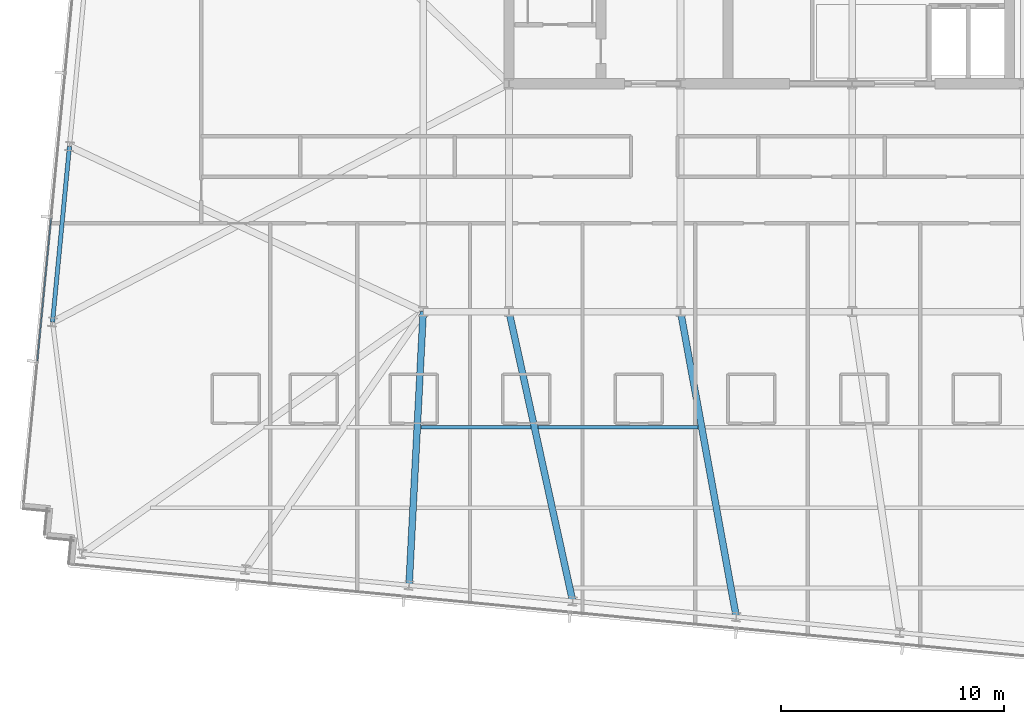
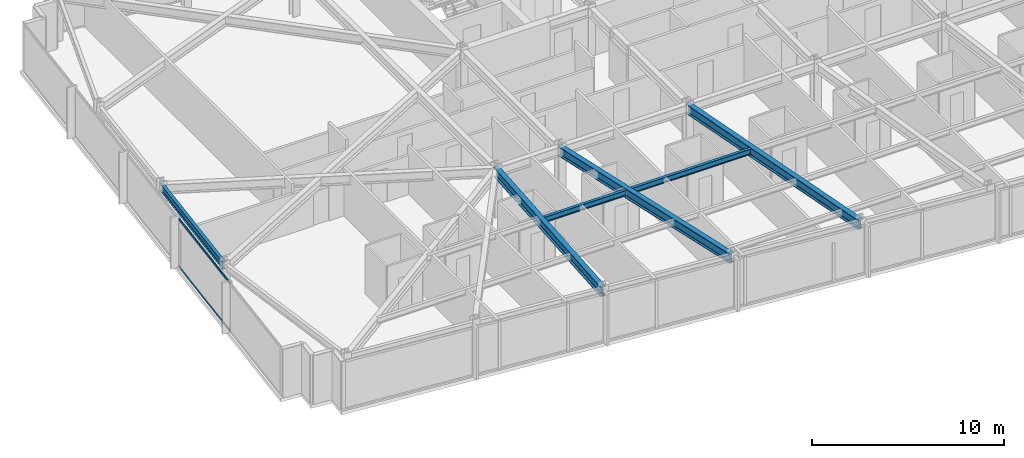
# One storey, part 7 of 38: 6 beams, 2 members, 1 element without a shape of its own.
"""IFC4 building model written with IfcOpenShell, lengths in metres."""

from ifc_helpers import new_model, si_unit, direction, frame, origin, origin_2d, place, context, subcontext, project, spatial, hollow_rectangle, i_section, extrude, material, material_profile, profile_set, type_object, element, aggregate, save


model = new_model("IFC4")

# Units and contexts
model_context = context("Model", 3, precision=1e-05, world=origin(), true_north=direction((0.0, 1.0)))
body_context = subcontext(model_context, "Body", "Model", "MODEL_VIEW")
ifc_project = project(units=[si_unit("LENGTHUNIT", "METRE"), si_unit("AREAUNIT", "SQUARE_METRE"), si_unit("VOLUMEUNIT", "CUBIC_METRE"), si_unit("PLANEANGLEUNIT", "RADIAN"), si_unit("MASSUNIT", "GRAM", prefix="KILO")], contexts=[model_context])

# Site, building, storey
site_placement = place(None, origin())
site = spatial("IfcSite", under=ifc_project, at=site_placement, CompositionType="ELEMENT")
building_placement = place(site_placement, origin())
building = spatial("IfcBuilding", under=site, at=building_placement, Name="Yelkora Congress Tower", CompositionType="ELEMENT")
storey_placement = place(building_placement, frame((0.0, 0.0, 178.699951171875)))
storey = spatial("IfcBuildingStorey", under=building, at=storey_placement, Name="L49", CompositionType="ELEMENT", Elevation=178.699951171875)

# Beams
ifc_material_1 = material(Name="Steel S355J2", Category="steel")
ifc_material_profile_1 = material_profile(ifc_material_1, i_section(OverallWidth=0.300048828125, OverallDepth=0.60009765625, WebThickness=0.015380859375, FlangeThickness=0.030029296875, FilletRadius=0.027099609375, at=origin_2d()), Name="HEB 600")
ifc_profile_set_1 = profile_set([ifc_material_profile_1], Name="Steel S355J2")
beam_type_1 = type_object("IfcBeamType", Name="BM-GIRD-HEB600", PredefinedType="BEAM", material=ifc_profile_set_1)
beam_1_placement = place(storey_placement, frame((18.56591796875, 12.947021484375, 2.780029296875), z_axis=(0.051676299428, 0.99866388744, 0.0), x_axis=(-0.99866388744, 0.051676299428, 0.0)))
element("IfcBeam", 1, at=beam_1_placement, inside=storey, type_object=beam_type_1, Name="L49 Primary Frame Girder S03", PredefinedType="BEAM", context=body_context, shape_type="SweptSolid", body=[
    extrude(i_section(OverallWidth=0.300048828125, OverallDepth=0.60009765625, WebThickness=0.015380859375, FlangeThickness=0.030029296875, FilletRadius=0.027099609375, at=origin_2d()), origin(), (0.0, 0.0, 1.0), 12.269287109375),
])
beam_2_placement = place(storey_placement, frame((25.888916015625, 12.24169921875, 2.780029296875), z_axis=(-0.214722420774, 0.976675115899, 0.0), x_axis=(-0.976675115899, -0.214722420774, 0.0)))
element("IfcBeam", 2, at=beam_2_placement, inside=storey, type_object=beam_type_1, Name="L49 Primary Frame Girder S04", PredefinedType="BEAM", context=body_context, shape_type="SweptSolid", body=[
    extrude(i_section(OverallWidth=0.300048828125, OverallDepth=0.60009765625, WebThickness=0.015380859375, FlangeThickness=0.030029296875, FilletRadius=0.027099609375, at=origin_2d()), origin(), (0.0, 0.0, 1.0), 13.267822265625),
])
beam_3_placement = place(storey_placement, frame((33.21240234375, 11.53662109375, 2.780029296875), z_axis=(-0.179456208566, 0.983765962619, 0.0), x_axis=(-0.983765962619, -0.179456208566, 0.0)))
element("IfcBeam", 3, at=beam_3_placement, inside=storey, type_object=beam_type_1, Name="L49 Primary Frame Girder S05", PredefinedType="BEAM", context=body_context, shape_type="SweptSolid", body=[
    extrude(i_section(OverallWidth=0.300048828125, OverallDepth=0.60009765625, WebThickness=0.015380859375, FlangeThickness=0.030029296875, FilletRadius=0.027099609375, at=origin_2d()), origin(), (0.0, 0.0, 1.0), 13.888916015625),
])
ifc_material_profile_2 = material_profile(ifc_material_1, i_section(OverallWidth=0.169921875, OverallDepth=0.360107421875, WebThickness=0.008056640625, FlangeThickness=0.0126953125, FilletRadius=0.01806640625, at=origin_2d()), Name="IPE 360")
ifc_profile_set_2 = profile_set([ifc_material_profile_2], Name="Steel S355J2")
beam_type_2 = type_object("IfcBeamType", Name="BM-JOIST-IPE360", PredefinedType="JOIST", material=ifc_profile_set_2)
beam_4_placement = place(storey_placement, frame((19.092041015625, 20.021240234375, 2.900146484375), z_axis=(1.0, 0.0, 0.0), x_axis=(0.0, 1.0, 0.0)))
element("IfcBeam", 4, at=beam_4_placement, inside=storey, type_object=beam_type_2, Name="L49 Composite Floor Joist 14", PredefinedType="JOIST", context=body_context, shape_type="SweptSolid", body=[
    extrude(i_section(OverallWidth=0.169921875, OverallDepth=0.360107421875, WebThickness=0.008056640625, FlangeThickness=0.0126953125, FilletRadius=0.01806640625, at=origin_2d()), origin(), (0.0, 0.0, 1.0), 4.926513671875),
])
beam_5_placement = place(storey_placement, frame((24.338623046875, 20.021240234375, 2.900146484375), z_axis=(1.0, 0.0, 0.0), x_axis=(0.0, 1.0, 0.0)))
element("IfcBeam", 5, at=beam_5_placement, inside=storey, type_object=beam_type_2, Name="L49 Composite Floor Joist 15", PredefinedType="JOIST", context=body_context, shape_type="SweptSolid", body=[
    extrude(i_section(OverallWidth=0.169921875, OverallDepth=0.360107421875, WebThickness=0.008056640625, FlangeThickness=0.0126953125, FilletRadius=0.01806640625, at=origin_2d()), origin(), (0.0, 0.0, 1.0), 7.166015625),
])
ifc_material_profile_3 = material_profile(ifc_material_1, i_section(OverallWidth=0.18994140625, OverallDepth=0.449951171875, WebThickness=0.009521484375, FlangeThickness=0.0146484375, FilletRadius=0.02099609375, at=origin_2d()), Name="IPE 450")
ifc_profile_set_3 = profile_set([ifc_material_profile_3], Name="Steel S355J2")
beam_type_3 = type_object("IfcBeamType", Name="BM-SPAN-IPE450", PredefinedType="SPANDREL", material=ifc_profile_set_3)
beam_6_placement = place(storey_placement, frame((3.364501953125, 32.594482421875, 2.85498046875), z_axis=(-0.095831353931, -0.995397584689, 0.0), x_axis=(0.995397584689, -0.095831353931, 0.0)))
element("IfcBeam", 6, at=beam_6_placement, inside=storey, type_object=beam_type_3, Name="L49 Perimeter Beam 18", PredefinedType="SPANDREL", context=body_context, shape_type="SweptSolid", body=[
    extrude(i_section(OverallWidth=0.18994140625, OverallDepth=0.449951171875, WebThickness=0.009521484375, FlangeThickness=0.0146484375, FilletRadius=0.02099609375, at=origin_2d()), origin(), (0.0, 0.0, 1.0), 7.900146484375),
])

# Curtain wall, members
ifc_material_2 = material(Name="Anodised aluminium and insulated glass", Category="aluminium")
curtain_wall_type = type_object("IfcCurtainWallType", Name="CW-SYS-B3", PredefinedType="NOTDEFINED", material=ifc_material_2)
curtain_wall_placement = place(storey_placement, origin())
curtain_wall = element("IfcCurtainWall", 7, at=curtain_wall_placement, inside=storey, type_object=curtain_wall_type, Name="L49 Unitised Curtain Wall 5", PredefinedType="NOTDEFINED")
ifc_material_3 = material(Name="Anodised aluminium 6063-T6", Category="aluminium")
ifc_material_profile_4 = material_profile(ifc_material_3, hollow_rectangle(XDim=0.06005859375, YDim=0.1298828125, WallThickness=0.00390625, at=origin_2d()), Name="ALU 60x130x4")
ifc_profile_set_4 = profile_set([ifc_material_profile_4], Name="Anodised aluminium 6063-T6")
member_type = type_object("IfcMemberType", Name="MEM-TR-B3", PredefinedType="USERDEFINED", material=ifc_profile_set_4)
member_1_placement = place(storey_placement, frame((1.92822265625, 22.996826171875, 0.030029296875), z_axis=(0.095843682057, 0.995396397728, 0.0), x_axis=(-0.995396397728, 0.095843682057, 0.0)))
member_1 = element("IfcMember", 8, at=member_1_placement, type_object=member_type, Name="CW-B3 transom 2.1", ObjectType="TRANSOM", PredefinedType="USERDEFINED", context=body_context, shape_type="SweptSolid", body=[
    extrude(hollow_rectangle(XDim=0.06005859375, YDim=0.1298828125, WallThickness=0.00390625, at=origin_2d()), origin(), (0.0, 0.0, 1.0), 6.4140625),
])
member_2_placement = place(storey_placement, frame((1.92822265625, 22.996826171875, 3.050048828125), z_axis=(0.095843682057, 0.995396397728, 0.0), x_axis=(-0.995396397728, 0.095843682057, 0.0)))
member_2 = element("IfcMember", 9, at=member_2_placement, type_object=member_type, Name="CW-B3 transom 2.2", ObjectType="TRANSOM", PredefinedType="USERDEFINED", context=body_context, shape_type="SweptSolid", body=[
    extrude(hollow_rectangle(XDim=0.06005859375, YDim=0.1298828125, WallThickness=0.00390625, at=origin_2d()), origin(), (0.0, 0.0, 1.0), 6.4140625),
])
aggregate(curtain_wall, [member_1, member_2])

save(model, "model.ifc")
